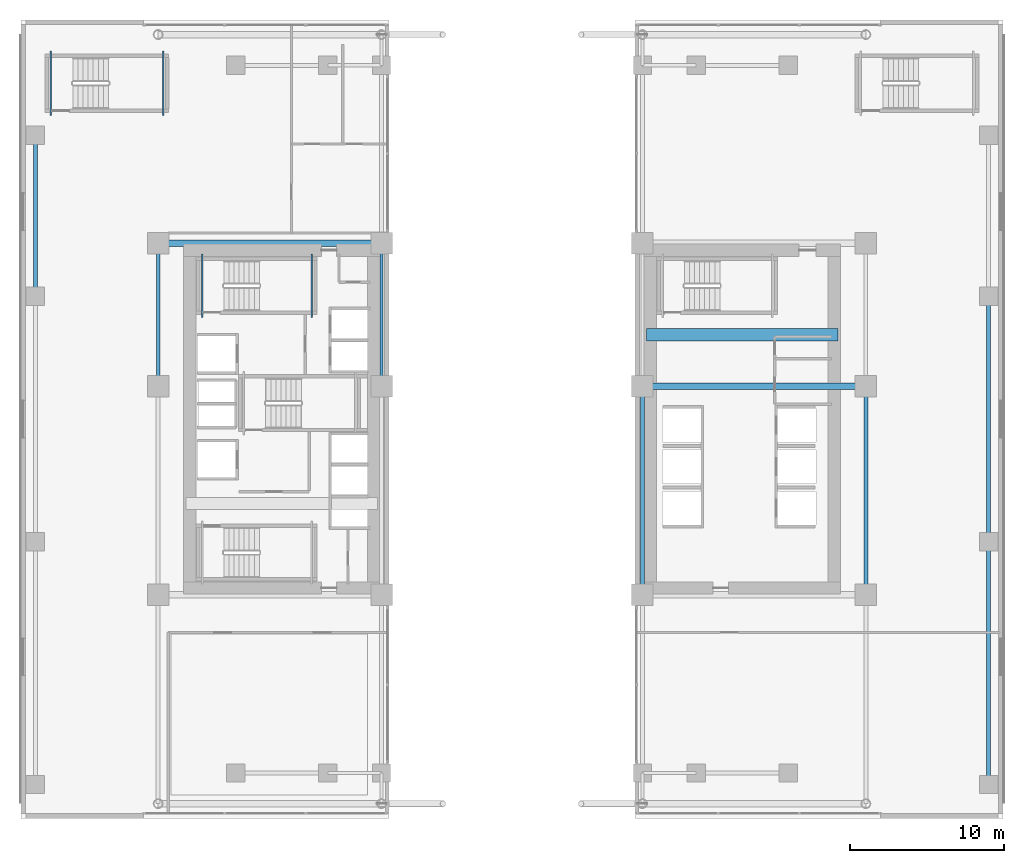
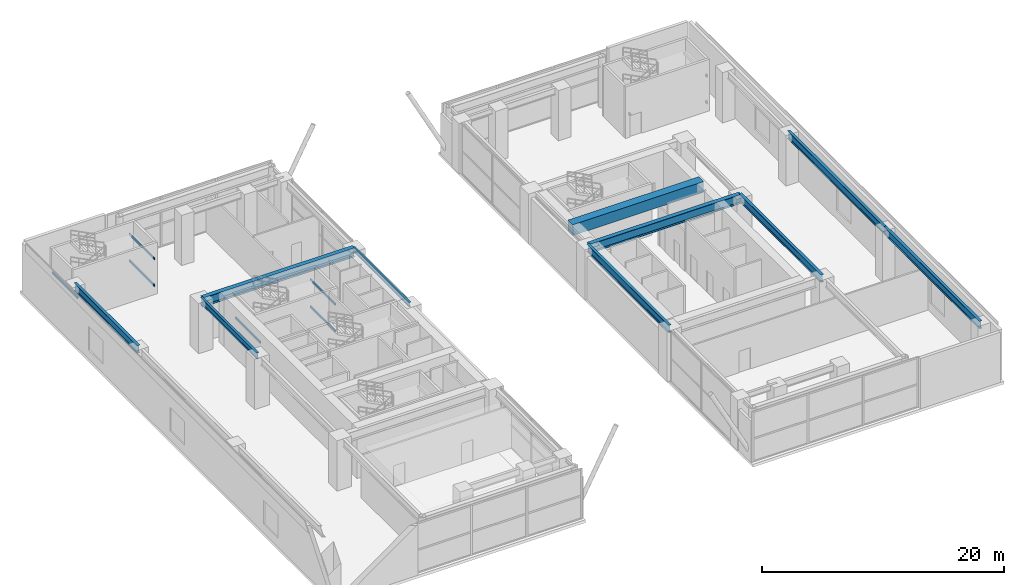
# One storey, part 11 of 29: 16 beams.
"""IFC4 building model written with IfcOpenShell, lengths in metres."""

from ifc_helpers import new_model, si_unit, direction, frame, origin, origin_2d, place, context, subcontext, project, spatial, rectangle, hollow_rectangle, i_section, extrude, source, transform, mapped, material, material_profile, profile_set, type_object, element, save


model = new_model("IFC4")

# Units and contexts
model_context = context("Model", 3, precision=1e-05, world=origin(), true_north=direction((0.0, 1.0)))
body_context = subcontext(model_context, "Body", "Model", "MODEL_VIEW")
ifc_project = project(units=[si_unit("LENGTHUNIT", "METRE"), si_unit("AREAUNIT", "SQUARE_METRE"), si_unit("VOLUMEUNIT", "CUBIC_METRE"), si_unit("PLANEANGLEUNIT", "RADIAN"), si_unit("MASSUNIT", "GRAM", prefix="KILO")], contexts=[model_context])

# Site, building, storey
site_placement = place(None, origin())
site = spatial("IfcSite", under=ifc_project, at=site_placement, CompositionType="ELEMENT")
building_placement = place(site_placement, origin())
building = spatial("IfcBuilding", under=site, at=building_placement, Name="Ocotamira Hotel", CompositionType="ELEMENT")
storey_placement = place(building_placement, frame((0.0, 0.0, 6.0)))
storey = spatial("IfcBuildingStorey", under=building, at=storey_placement, Name="L02", CompositionType="ELEMENT", Elevation=6.0)

# Beams
ifc_material_1 = material(Name="Concrete C60/75", Category="concrete")
ifc_material_profile_1 = material_profile(ifc_material_1, rectangle(XDim=0.800048828125, YDim=1.10009765625, at=origin_2d()), Name="RC800X1100")
ifc_profile_set_1 = profile_set([ifc_material_profile_1], Name="Concrete C60/75")
beam_type_1 = type_object("IfcBeamType", Name="BM-LINK-RC800", PredefinedType="LINTEL", material=ifc_profile_set_1)
shared_shape_1 = source(origin(), body_context, "Body", "SweptSolid", [
    extrude(rectangle(XDim=0.800048828125, YDim=1.10009765625, at=origin_2d()), origin(), (0.0, 0.0, 1.0), 12.5),
])
beam_1_placement = place(storey_placement, frame((40.75, 31.5, 4.530029296875), z_axis=(1.0, 0.0, 0.0), x_axis=(0.0, 1.0, 0.0)))
element("IfcBeam", 1, at=beam_1_placement, inside=storey, type_object=beam_type_1, Name="L02 East Core Coupling Beam", PredefinedType="LINTEL", context=body_context, shape_type="MappedRepresentation", body=[
    mapped(shared_shape_1, transform((0.0, 0.0, 0.0), scale=1.0)),
])
ifc_material_2 = material(Name="Steel ASTM A500 Grade C", Category="steel")
ifc_material_profile_2 = material_profile(ifc_material_2, hollow_rectangle(XDim=0.10009765625, YDim=0.199951171875, WallThickness=0.008056640625, at=origin_2d()), Name="HSS200X100X8")
ifc_profile_set_2 = profile_set([ifc_material_profile_2], Name="Steel ASTM A500 Grade C")
beam_type_2 = type_object("IfcBeamType", Name="BM-STLDG-HSS200", PredefinedType="BEAM", material=ifc_profile_set_2)
shared_shape_2 = source(origin(), body_context, "Body", "SweptSolid", [
    extrude(hollow_rectangle(XDim=0.10009765625, YDim=0.199951171875, WallThickness=0.008056640625, at=origin_2d()), origin(), (0.0, 0.0, 1.0), 4.1201171875),
])
for number, where, z_axis, x_axis, name in (
    (2, (18.949951171875, 32.6298828125, 1.050048828125), (0.0, 1.0, 0.0), (-1.0, 0.0, 0.0), "L02 Stair ST-2 Landing Bearer 1"),
    (3, (11.81005859375, 32.6298828125, 2.39990234375), (0.0, 1.0, 0.0), (-1.0, 0.0, 0.0), "L02 Stair ST-2 Landing Bearer 2"),
    (4, (18.949951171875, 32.6298828125, 3.75), (0.0, 1.0, 0.0), (-1.0, 0.0, 0.0), "L02 Stair ST-2 Landing Bearer 3"),
):
    element("IfcBeam", number, at=place(storey_placement, frame(where, z_axis=z_axis, x_axis=x_axis)), inside=storey, type_object=beam_type_2, Name=name, PredefinedType="BEAM", context=body_context, shape_type="MappedRepresentation", body=[
        mapped(shared_shape_2, transform((0.0, 0.0, 0.0), scale=1.0)),
    ])
shared_shape_3 = source(origin(), body_context, "Body", "SweptSolid", [
    extrude(hollow_rectangle(XDim=0.10009765625, YDim=0.199951171875, WallThickness=0.008056640625, at=origin_2d()), origin(), (0.0, 0.0, 1.0), 4.199951171875),
])
for number, where, z_axis, x_axis, name in (
    (5, (9.280029296875, 45.780029296875, 1.050048828125), (0.0, 1.0, 0.0), (-1.0, 0.0, 0.0), "L02 Stair ST-5 Landing Bearer 1"),
    (6, (1.93994140625, 45.780029296875, 2.39990234375), (0.0, 1.0, 0.0), (-1.0, 0.0, 0.0), "L02 Stair ST-5 Landing Bearer 2"),
    (7, (9.280029296875, 45.780029296875, 3.75), (0.0, 1.0, 0.0), (-1.0, 0.0, 0.0), "L02 Stair ST-5 Landing Bearer 3"),
):
    element("IfcBeam", number, at=place(storey_placement, frame(where, z_axis=z_axis, x_axis=x_axis)), inside=storey, type_object=beam_type_2, Name=name, PredefinedType="BEAM", context=body_context, shape_type="MappedRepresentation", body=[
        mapped(shared_shape_3, transform((0.0, 0.0, 0.0), scale=1.0)),
    ])
ifc_material_3 = material(Name="Steel ASTM A992 Grade 50", Category="steel")
ifc_material_profile_3 = material_profile(ifc_material_3, i_section(OverallWidth=0.41796875, OverallDepth=0.927001953125, WebThickness=0.019287109375, FlangeThickness=0.031982421875, FilletRadius=0.02392578125, at=origin_2d()), Name="W36X231")
ifc_profile_set_3 = profile_set([ifc_material_profile_3], Name="Steel ASTM A992 Grade 50")
beam_type_3 = type_object("IfcBeamType", Name="BM-GIRD-W36X231", PredefinedType="BEAM", material=ifc_profile_set_3)
shared_shape_4 = source(origin(), body_context, "Body", "SweptSolid", [
    extrude(i_section(OverallWidth=0.41796875, OverallDepth=0.927001953125, WebThickness=0.019287109375, FlangeThickness=0.031982421875, FilletRadius=0.02392578125, at=origin_2d()), origin(), (0.0, 0.0, 1.0), 14.550048828125),
])
for number, where, z_axis, x_axis, name in (
    (8, (40.5, 28.14990234375, 4.616455078125), (1.0, 0.0, 0.0), (0.0, 1.0, 0.0), "L02 Girder Y28.15 X40.5-55.05"),
    (9, (8.949951171875, 37.449951171875, 4.616455078125), (1.0, 0.0, 0.0), (0.0, 1.0, 0.0), "L02 Girder Y37.45 X8.95-23.5"),
):
    element("IfcBeam", number, at=place(storey_placement, frame(where, z_axis=z_axis, x_axis=x_axis)), inside=storey, type_object=beam_type_3, Name=name, PredefinedType="BEAM", context=body_context, shape_type="MappedRepresentation", body=[
        mapped(shared_shape_4, transform((0.0, 0.0, 0.0), scale=1.0)),
    ])
ifc_material_profile_4 = material_profile(ifc_material_3, i_section(OverallWidth=0.26611328125, OverallDepth=0.779052734375, WebThickness=0.0166015625, FlangeThickness=0.030029296875, FilletRadius=0.01806640625, at=origin_2d()), Name="W30X148")
ifc_profile_set_4 = profile_set([ifc_material_profile_4], Name="Steel ASTM A992 Grade 50")
beam_type_4 = type_object("IfcBeamType", Name="BM-GIRD-W30X148", PredefinedType="BEAM", material=ifc_profile_set_4)
shared_shape_5 = source(origin(), body_context, "Body", "SweptSolid", [
    extrude(i_section(OverallWidth=0.26611328125, OverallDepth=0.779052734375, WebThickness=0.0166015625, FlangeThickness=0.030029296875, FilletRadius=0.01806640625, at=origin_2d()), origin(), (0.0, 0.0, 1.0), 15.800048828125),
])
beam_2_placement = place(storey_placement, frame((63.050048828125, 2.199951171875, 4.6904296875), z_axis=(0.0, 1.0, 0.0), x_axis=(-1.0, 0.0, 0.0)))
element("IfcBeam", 10, at=beam_2_placement, inside=storey, type_object=beam_type_4, Name="L02 Beam X63.05 Y2.2-18", PredefinedType="BEAM", context=body_context, shape_type="MappedRepresentation", body=[
    mapped(shared_shape_5, transform((0.0, 0.0, 0.0), scale=1.0)),
])
shared_shape_6 = source(origin(), body_context, "Body", "SweptSolid", [
    extrude(i_section(OverallWidth=0.26611328125, OverallDepth=0.779052734375, WebThickness=0.0166015625, FlangeThickness=0.030029296875, FilletRadius=0.01806640625, at=origin_2d()), origin(), (0.0, 0.0, 1.0), 16.0),
])
beam_3_placement = place(storey_placement, frame((63.050048828125, 18.0, 4.6904296875), z_axis=(0.0, 1.0, 0.0), x_axis=(-1.0, 0.0, 0.0)))
element("IfcBeam", 11, at=beam_3_placement, inside=storey, type_object=beam_type_4, Name="L02 Beam X63.05 Y18-34", PredefinedType="BEAM", context=body_context, shape_type="MappedRepresentation", body=[
    mapped(shared_shape_6, transform((0.0, 0.0, 0.0), scale=1.0)),
])
shared_shape_7 = source(origin(), body_context, "Body", "SweptSolid", [
    extrude(i_section(OverallWidth=0.26611328125, OverallDepth=0.779052734375, WebThickness=0.0166015625, FlangeThickness=0.030029296875, FilletRadius=0.01806640625, at=origin_2d()), origin(), (0.0, 0.0, 1.0), 10.5),
])
beam_4_placement = place(storey_placement, frame((0.949951171875, 34.0, 4.6904296875), z_axis=(0.0, 1.0, 0.0), x_axis=(-1.0, 0.0, 0.0)))
element("IfcBeam", 12, at=beam_4_placement, inside=storey, type_object=beam_type_4, Name="L02 Beam X0.95 Y34-44.5", PredefinedType="BEAM", context=body_context, shape_type="MappedRepresentation", body=[
    mapped(shared_shape_7, transform((0.0, 0.0, 0.0), scale=1.0)),
])
shared_shape_8 = source(origin(), body_context, "Body", "SweptSolid", [
    extrude(i_section(OverallWidth=0.26611328125, OverallDepth=0.779052734375, WebThickness=0.0166015625, FlangeThickness=0.030029296875, FilletRadius=0.01806640625, at=origin_2d()), origin(), (0.0, 0.0, 1.0), 13.599853515625),
])
for number, where, z_axis, x_axis, name in (
    (13, (40.5, 14.550048828125, 4.6904296875), (0.0, 1.0, 0.0), (-1.0, 0.0, 0.0), "L02 Beam X40.5 Y14.55-28.15"),
    (14, (55.050048828125, 14.550048828125, 4.6904296875), (0.0, 1.0, 0.0), (-1.0, 0.0, 0.0), "L02 Beam X55.05 Y14.55-28.15"),
):
    element("IfcBeam", number, at=place(storey_placement, frame(where, z_axis=z_axis, x_axis=x_axis)), inside=storey, type_object=beam_type_4, Name=name, PredefinedType="BEAM", context=body_context, shape_type="MappedRepresentation", body=[
        mapped(shared_shape_8, transform((0.0, 0.0, 0.0), scale=1.0)),
    ])
ifc_material_profile_5 = material_profile(ifc_material_3, i_section(OverallWidth=0.22998046875, OverallDepth=0.616943359375, WebThickness=0.01318359375, FlangeThickness=0.022216796875, FilletRadius=0.012939453125, at=origin_2d()), Name="W24X94")
ifc_profile_set_5 = profile_set([ifc_material_profile_5], Name="Steel ASTM A992 Grade 50")
beam_type_5 = type_object("IfcBeamType", Name="BM-PRIM-W24X94", PredefinedType="BEAM", material=ifc_profile_set_5)
shared_shape_9 = source(origin(), body_context, "Body", "SweptSolid", [
    extrude(i_section(OverallWidth=0.22998046875, OverallDepth=0.616943359375, WebThickness=0.01318359375, FlangeThickness=0.022216796875, FilletRadius=0.012939453125, at=origin_2d()), origin(), (0.0, 0.0, 1.0), 9.300048828125),
])
beam_5_placement = place(storey_placement, frame((8.949951171875, 28.14990234375, 4.771484375), z_axis=(0.0, 1.0, 0.0), x_axis=(-1.0, 0.0, 0.0)))
element("IfcBeam", 15, at=beam_5_placement, inside=storey, type_object=beam_type_5, Name="L02 Beam X8.95 Y28.15-37.45", PredefinedType="BEAM", context=body_context, shape_type="MappedRepresentation", body=[
    mapped(shared_shape_9, transform((0.0, 0.0, 0.0), scale=1.0)),
])
ifc_material_profile_6 = material_profile(ifc_material_3, i_section(OverallWidth=0.18994140625, OverallDepth=0.45703125, WebThickness=0.009033203125, FlangeThickness=0.014404296875, FilletRadius=0.010009765625, at=origin_2d()), Name="W18X50")
ifc_profile_set_6 = profile_set([ifc_material_profile_6], Name="Steel ASTM A992 Grade 50")
beam_type_6 = type_object("IfcBeamType", Name="BM-SEC-W18X50", PredefinedType="JOIST", material=ifc_profile_set_6)
shared_shape_10 = source(origin(), body_context, "Body", "SweptSolid", [
    extrude(i_section(OverallWidth=0.18994140625, OverallDepth=0.45703125, WebThickness=0.009033203125, FlangeThickness=0.014404296875, FilletRadius=0.010009765625, at=origin_2d()), origin(), (0.0, 0.0, 1.0), 9.300048828125),
])
beam_6_placement = place(storey_placement, frame((23.5, 28.14990234375, 4.8515625), z_axis=(0.0, 1.0, 0.0), x_axis=(-1.0, 0.0, 0.0)))
element("IfcBeam", 16, at=beam_6_placement, inside=storey, type_object=beam_type_6, Name="L02 Beam X23.5 Y28.15-37.45", PredefinedType="JOIST", context=body_context, shape_type="MappedRepresentation", body=[
    mapped(shared_shape_10, transform((0.0, 0.0, 0.0), scale=1.0)),
])

save(model, "model.ifc")
